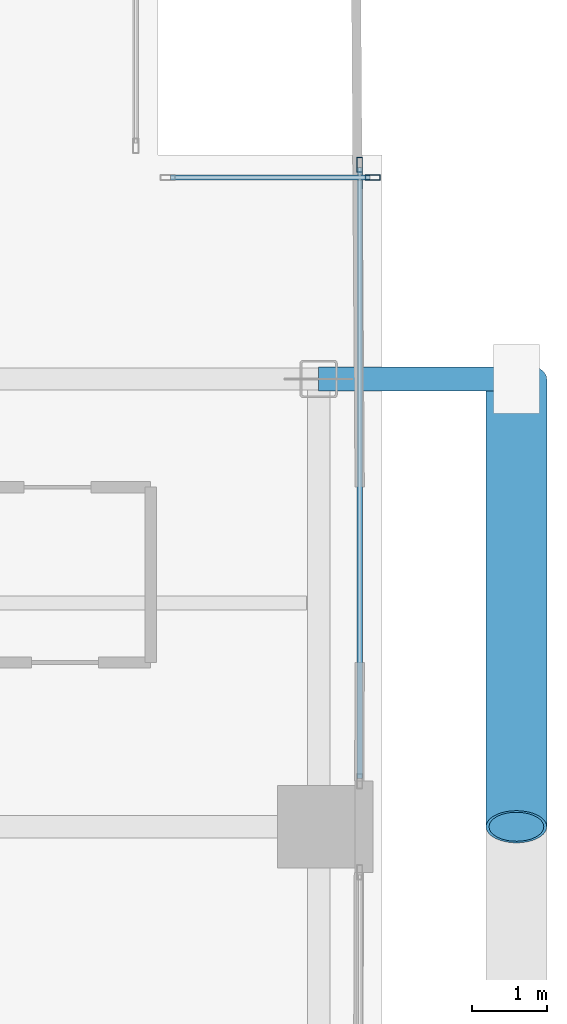
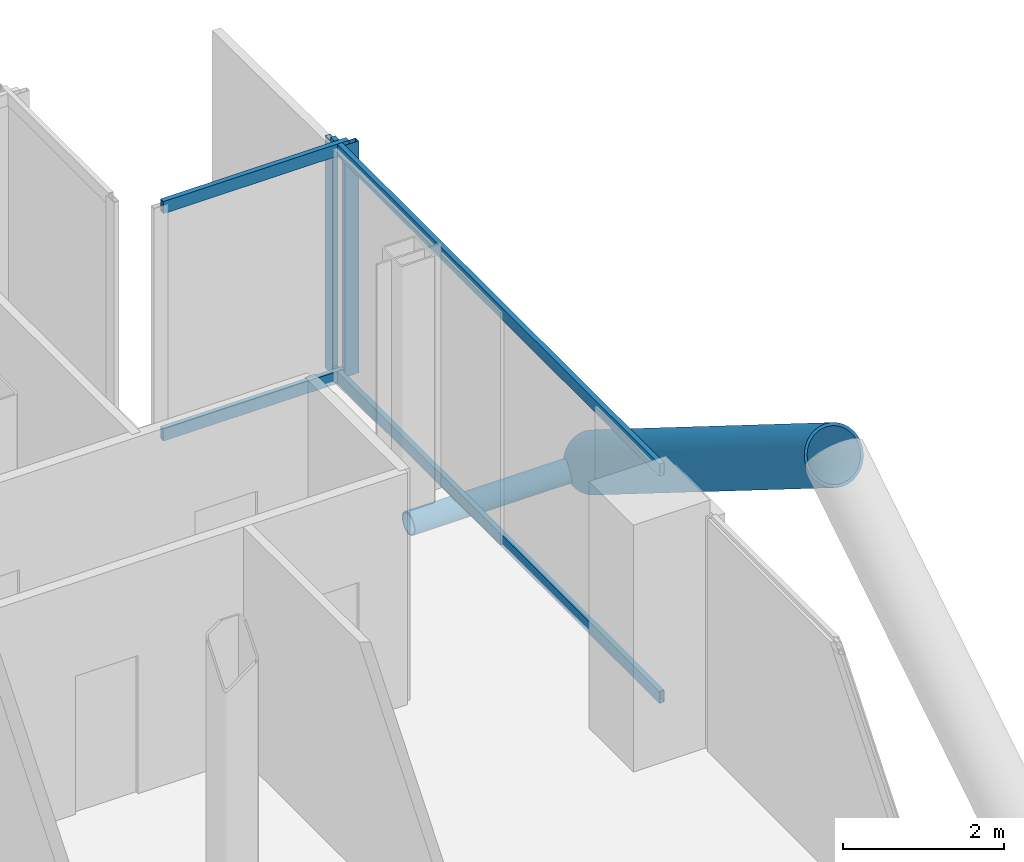
# One storey, part 14 of 28: 8 members, 2 elements without a shape of their own.
"""IFC4 building model written with IfcOpenShell, lengths in metres."""

from ifc_helpers import new_model, si_unit, direction, frame, origin, origin_2d, place, context, subcontext, project, spatial, hollow_rectangle, hollow_circle, extrude, material, layer, layer_set, material_profile, profile_set, type_object, element, aggregate, save


model = new_model("IFC4")

# Units and contexts
model_context = context("Model", 3, precision=1e-05, world=origin(), true_north=direction((0.0, 1.0)))
body_context = subcontext(model_context, "Body", "Model", "MODEL_VIEW")
ifc_project = project(units=[si_unit("LENGTHUNIT", "METRE"), si_unit("AREAUNIT", "SQUARE_METRE"), si_unit("VOLUMEUNIT", "CUBIC_METRE"), si_unit("PLANEANGLEUNIT", "RADIAN"), si_unit("MASSUNIT", "GRAM", prefix="KILO"), si_unit("THERMODYNAMICTEMPERATUREUNIT", "KELVIN"), si_unit("POWERUNIT", "WATT")], contexts=[model_context])

# Site, building, storey
site_placement = place(None, origin())
site = spatial("IfcSite", under=ifc_project, at=site_placement, CompositionType="ELEMENT")
building_placement = place(site_placement, origin())
building = spatial("IfcBuilding", under=site, at=building_placement, Name="Svarakhadi Broadcast Tower", CompositionType="ELEMENT")
storey_placement = place(building_placement, frame((0.0, 0.0, 103.35009765625)))
storey = spatial("IfcBuildingStorey", under=building, at=storey_placement, Name="L24", CompositionType="ELEMENT", Elevation=103.35009765625)

# Curtain wall, member
ifc_material_1 = material(Name="Anodised Bronze Aluminium AA 6063-T6", Category="aluminium")
ifc_layer = layer(ifc_material_1, 0.199951171875)
ifc_layer_set = layer_set([ifc_layer], Name="Anodised Bronze Aluminium AA 6063-T6")
curtain_wall_type = type_object("IfcCurtainWallType", Name="CW_Sys_03", PredefinedType="NOTDEFINED", material=ifc_layer_set)
curtain_wall_1_placement = place(storey_placement, origin())
curtain_wall_1 = element("IfcCurtainWall", 1, at=curtain_wall_1_placement, inside=storey, type_object=curtain_wall_type, Name="L24 Unitised Facade Curtain Wall 12", PredefinedType="NOTDEFINED")
ifc_material_profile_1 = material_profile(ifc_material_1, hollow_rectangle(XDim=0.074951171875, YDim=0.199951171875, WallThickness=0.005615234375, at=origin_2d()), Name="ALU MULLION 200x75x6")
ifc_profile_set_1 = profile_set([ifc_material_profile_1], Name="Anodised Bronze Aluminium AA 6063-T6")
member_type_1 = type_object("IfcMemberType", Name="CW_Sys_03_Mul", PredefinedType="MULLION", material=ifc_profile_set_1)
member_1_placement = place(storey_placement, frame((47.87255859375, 20.699951171875, 0.0), z_axis=(0.0, 0.0, 1.0), x_axis=(0.0, 1.0, 0.0)))
member_1 = element("IfcMember", 2, at=member_1_placement, type_object=member_type_1, Name="CW-03 mullion 2", PredefinedType="MULLION", context=body_context, shape_type="SweptSolid", body=[
    extrude(hollow_rectangle(XDim=0.074951171875, YDim=0.199951171875, WallThickness=0.005615234375, at=origin_2d()), origin(), (0.0, 0.0, 1.0), 3.52490234375),
])

curtain_wall_2_placement = place(storey_placement, origin())
curtain_wall_2 = element("IfcCurtainWall", 3, at=curtain_wall_2_placement, inside=storey, type_object=curtain_wall_type, Name="L24 Unitised Facade Curtain Wall 13 Bay 1", PredefinedType="NOTDEFINED")
member_2_placement = place(storey_placement, frame((47.699951171875, 20.87255859375, 0.0), z_axis=(0.0, 0.0, 1.0), x_axis=(1.0, 0.0, 0.0)))
member_2 = element("IfcMember", 4, at=member_2_placement, type_object=member_type_1, Name="CW-03 mullion 1", PredefinedType="MULLION", context=body_context, shape_type="SweptSolid", body=[
    extrude(hollow_rectangle(XDim=0.074951171875, YDim=0.199951171875, WallThickness=0.005615234375, at=origin_2d()), origin(), (0.0, 0.0, 1.0), 3.52490234375),
])

# Member
ifc_material_profile_2 = material_profile(ifc_material_1, hollow_rectangle(XDim=0.070068359375, YDim=0.18505859375, WallThickness=0.0048828125, at=origin_2d()), Name="ALU TRANSOM 185x70x5")
ifc_profile_set_2 = profile_set([ifc_material_profile_2], Name="Anodised Bronze Aluminium AA 6063-T6")
member_type_2 = type_object("IfcMemberType", Name="CW_Sys_03_Trn", PredefinedType="USERDEFINED", material=ifc_profile_set_2)
member_3_placement = place(storey_placement, frame((45.1650390625, 20.699951171875, 0.034912109375), z_axis=(1.0, 0.0, 0.0), x_axis=(0.0, 1.0, 0.0)))
member_3 = element("IfcMember", 5, at=member_3_placement, type_object=member_type_2, Name="CW-03 transom 1.1", ObjectType="TRANSOM", PredefinedType="USERDEFINED", context=body_context, shape_type="SweptSolid", body=[
    extrude(hollow_rectangle(XDim=0.070068359375, YDim=0.18505859375, WallThickness=0.0048828125, at=origin_2d()), origin(), (0.0, 0.0, 1.0), 2.669921875),
])

member_4_placement = place(storey_placement, frame((45.1650390625, 20.699951171875, 3.489990234375), z_axis=(1.0, 0.0, 0.0), x_axis=(0.0, 1.0, 0.0)))
member_4 = element("IfcMember", 6, at=member_4_placement, type_object=member_type_2, Name="CW-03 transom 1.2", ObjectType="TRANSOM", PredefinedType="USERDEFINED", context=body_context, shape_type="SweptSolid", body=[
    extrude(hollow_rectangle(XDim=0.070068359375, YDim=0.18505859375, WallThickness=0.0048828125, at=origin_2d()), origin(), (0.0, 0.0, 1.0), 2.669921875),
])

aggregate(curtain_wall_1, [member_1, member_3, member_4])

member_5_placement = place(storey_placement, frame((47.699951171875, 20.8349609375, 0.034912109375), z_axis=(0.0, -1.0, 0.0), x_axis=(1.0, 0.0, 0.0)))
member_5 = element("IfcMember", 7, at=member_5_placement, type_object=member_type_2, Name="CW-03 transom 1.1", ObjectType="TRANSOM", PredefinedType="USERDEFINED", context=body_context, shape_type="SweptSolid", body=[
    extrude(hollow_rectangle(XDim=0.070068359375, YDim=0.18505859375, WallThickness=0.0048828125, at=origin_2d()), origin(), (0.0, 0.0, 1.0), 8.18994140625),
])

member_6_placement = place(storey_placement, frame((47.699951171875, 20.8349609375, 3.489990234375), z_axis=(0.0, -1.0, 0.0), x_axis=(1.0, 0.0, 0.0)))
member_6 = element("IfcMember", 8, at=member_6_placement, type_object=member_type_2, Name="CW-03 transom 1.2", ObjectType="TRANSOM", PredefinedType="USERDEFINED", context=body_context, shape_type="SweptSolid", body=[
    extrude(hollow_rectangle(XDim=0.070068359375, YDim=0.18505859375, WallThickness=0.0048828125, at=origin_2d()), origin(), (0.0, 0.0, 1.0), 8.18994140625),
])

aggregate(curtain_wall_2, [member_2, member_5, member_6])

# Members
ifc_material_2 = material(Name="Steel S460ML (IS 2062 E450BR)", Category="steel")
ifc_material_profile_3 = material_profile(ifc_material_2, hollow_circle(Radius=0.406494140625, WallThickness=0.0400390625, at=origin_2d()), Name="CHS 813x40")
ifc_profile_set_3 = profile_set([ifc_material_profile_3], Name="Steel S460ML (IS 2062 E450BR)")
member_type_3 = type_object("IfcMemberType", Name="Exo_Brace_CHS813", PredefinedType="BRACE", material=ifc_profile_set_3)
member_7_placement = place(storey_placement, frame((49.800048828125, 18.0, -0.386962890625), z_axis=(0.0, -0.847998304005, 0.529998940003), x_axis=(1.0, 0.0, 0.0)))
element("IfcMember", 9, at=member_7_placement, inside=storey, type_object=member_type_3, Name="L24 Exposed Bronze Exoskeleton Diagonal E09", PredefinedType="BRACE", context=body_context, shape_type="SweptSolid", body=[
    extrude(hollow_circle(Radius=0.406494140625, WallThickness=0.0400390625, at=origin_2d()), origin(), (0.0, 0.0, 1.0), 7.075439453125),
])
ifc_material_profile_4 = material_profile(ifc_material_2, hollow_circle(Radius=0.161865234375, WallThickness=0.01611328125, at=origin_2d()), Name="CHS 323.9x16")
ifc_profile_set_4 = profile_set([ifc_material_profile_4], Name="Steel S460ML (IS 2062 E450BR)")
member_type_4 = type_object("IfcMemberType", Name="Exo_Radial_Strut_Z2", PredefinedType="STRUT", material=ifc_profile_set_4)
member_8_placement = place(storey_placement, frame((49.800048828125, 18.0, -0.386962890625), z_axis=(-1.0, 0.0, 0.0), x_axis=(0.0, -1.0, 0.0)))
element("IfcMember", 10, at=member_8_placement, inside=storey, type_object=member_type_4, Name="L24 Exoskeleton Radial Tie Strut E09", PredefinedType="STRUT", context=body_context, shape_type="SweptSolid", body=[
    extrude(hollow_circle(Radius=0.161865234375, WallThickness=0.01611328125, at=origin_2d()), origin(), (0.0, 0.0, 1.0), 2.650146484375),
])

save(model, "model.ifc")
